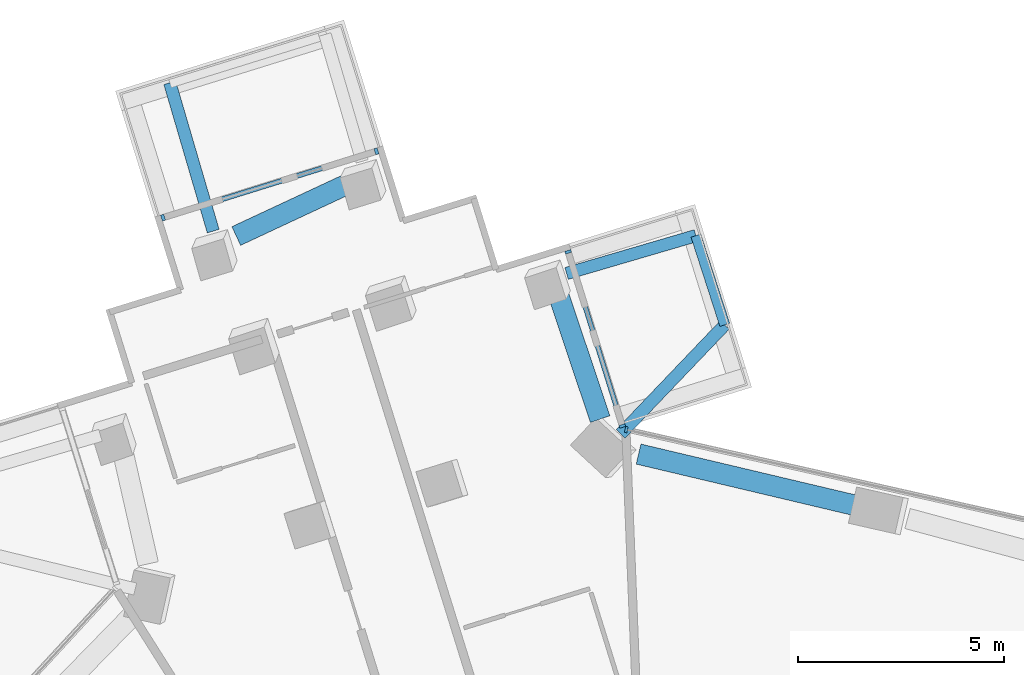
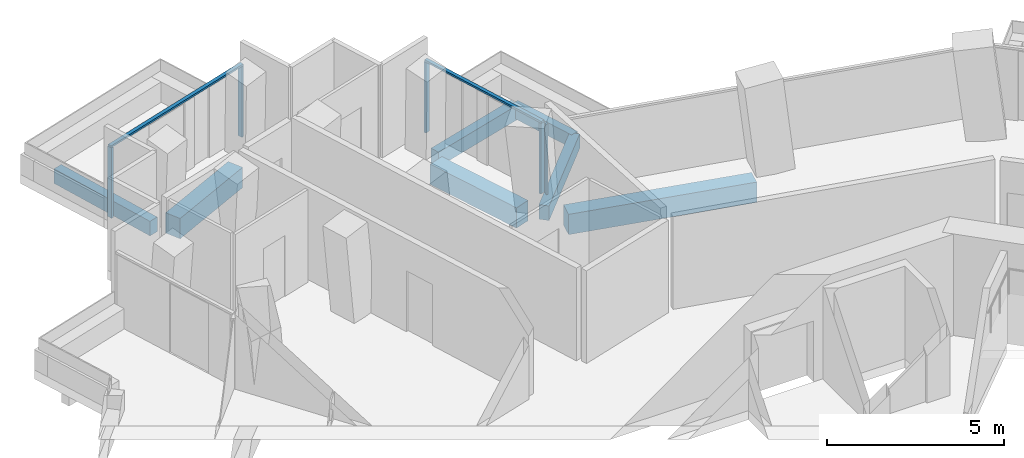
# One storey, part 8 of 25: 7 beams, 7 members, 3 elements without a shape of their own.
"""IFC4 building model written with IfcOpenShell, lengths in metres."""

from ifc_helpers import new_model, si_unit, direction, frame, origin, origin_2d, place, context, subcontext, project, spatial, rectangle, extrude, material, layer, layer_set, material_profile, profile_set, type_object, element, aggregate, save


model = new_model("IFC4")

# Units and contexts
model_context = context("Model", 3, precision=1e-05, world=origin(), true_north=direction((0.0, 1.0)))
body_context = subcontext(model_context, "Body", "Model", "MODEL_VIEW")
ifc_project = project(units=[si_unit("LENGTHUNIT", "METRE"), si_unit("AREAUNIT", "SQUARE_METRE"), si_unit("VOLUMEUNIT", "CUBIC_METRE"), si_unit("PLANEANGLEUNIT", "RADIAN"), si_unit("MASSUNIT", "GRAM", prefix="KILO")], contexts=[model_context])

# Site, building, storey
site_placement = place(None, origin())
site = spatial("IfcSite", under=ifc_project, at=site_placement, CompositionType="ELEMENT")
building_placement = place(site_placement, origin())
building = spatial("IfcBuilding", under=site, at=building_placement, Name="Verdalira Terraces Hotel", CompositionType="ELEMENT")
storey_placement = place(building_placement, frame((0.0, 0.0, 103.5)))
storey = spatial("IfcBuildingStorey", under=building, at=storey_placement, Name="L24", CompositionType="ELEMENT", Elevation=103.5)

# Beams
ifc_material_1 = material(Name="Concrete C40", Category="concrete")
ifc_material_profile_1 = material_profile(ifc_material_1, rectangle(XDim=0.300049, YDim=0.5, at=origin_2d()), Name="RC 300X500")
ifc_profile_set_1 = profile_set([ifc_material_profile_1], Name="Concrete C40")
beam_type_1 = type_object("IfcBeamType", Name="Balcony cantilever beam RC 300X500 C40", PredefinedType="BEAM", material=ifc_profile_set_1)
beam_1_placement = place(storey_placement, frame((-1.121826, 24.912598, -0.560059), z_axis=(0.690658382, 0.723181166, 0.0), x_axis=(-0.723181166, 0.690658382, 0.0)))
element("IfcBeam", 1, at=beam_1_placement, inside=storey, type_object=beam_type_1, Name="Balcony cantilever beam R00-1", PredefinedType="BEAM", context=body_context, shape_type="SweptSolid", body=[
    extrude(rectangle(XDim=0.300049, YDim=0.5, at=origin_2d()), origin(), (0.0, 0.0, 1.0), 3.655762),
])
beam_2_placement = place(storey_placement, frame((-2.432617, 28.802002, -0.560059), z_axis=(0.959713333, 0.280980994, 0.0), x_axis=(-0.280980994, 0.959713333, 0.0)))
element("IfcBeam", 2, at=beam_2_placement, inside=storey, type_object=beam_type_1, Name="Balcony cantilever beam R00-2", PredefinedType="BEAM", context=body_context, shape_type="SweptSolid", body=[
    extrude(rectangle(XDim=0.300049, YDim=0.5, at=origin_2d()), origin(), (0.0, 0.0, 1.0), 3.267822),
])
beam_3_placement = place(storey_placement, frame((-11.003418, 29.830078, -0.560059), z_axis=(-0.280977767, 0.959714278, 0.0), x_axis=(-0.959714278, -0.280977767, 0.0)))
element("IfcBeam", 3, at=beam_3_placement, inside=storey, type_object=beam_type_1, Name="Balcony cantilever beam R05-2", PredefinedType="BEAM", context=body_context, shape_type="SweptSolid", body=[
    extrude(rectangle(XDim=0.300049, YDim=0.5, at=origin_2d()), origin(), (0.0, 0.0, 1.0), 3.748535),
])
ifc_material_2 = material(Name="Concrete C40", Category="concrete")
ifc_material_profile_2 = material_profile(ifc_material_2, rectangle(XDim=0.25, YDim=0.449951, at=origin_2d()), Name="RC 250X450")
ifc_profile_set_2 = profile_set([ifc_material_profile_2], Name="Concrete C40")
beam_type_2 = type_object("IfcBeamType", Name="Balcony edge beam RC 250X450 C40", PredefinedType="BEAM", material=ifc_profile_set_2)
beam_4_placement = place(storey_placement, frame((1.403076, 27.556396, -0.534912), z_axis=(-0.307583027, 0.951521246, 0.0), x_axis=(-0.951521246, -0.307583027, 0.0)))
element("IfcBeam", 4, at=beam_4_placement, inside=storey, type_object=beam_type_2, Name="Balcony edge beam R00-1", PredefinedType="BEAM", context=body_context, shape_type="SweptSolid", body=[
    extrude(rectangle(XDim=0.25, YDim=0.449951, at=origin_2d()), origin(), (0.0, 0.0, 1.0), 2.27417),
])

# Curtain wall, member
ifc_material_3 = material(Name="Clear glass", Category="glass")
ifc_layer_1 = layer(ifc_material_3, 0.14990234375)
ifc_layer_set_1 = layer_set([ifc_layer_1], Name="CW1 curtain wall")
curtain_wall_type_1 = type_object("IfcCurtainWallType", Name="CW1 curtain wall", PredefinedType="NOTDEFINED", material=ifc_layer_set_1)
curtain_wall_1_placement = place(storey_placement, origin())
curtain_wall_1 = element("IfcCurtainWall", 5, at=curtain_wall_1_placement, inside=storey, type_object=curtain_wall_type_1, Name="CW1 curtain wall L24 edge 41", PredefinedType="NOTDEFINED")
ifc_material_4 = material(Name="Terracotta frame", Category="masonry")
ifc_material_profile_3 = material_profile(ifc_material_4, rectangle(XDim=0.060059, YDim=0.149902, at=origin_2d()), Name="MU 60x150")
ifc_profile_set_3 = profile_set([ifc_material_profile_3], Name="Terracotta frame")
member_type_1 = type_object("IfcMemberType", Name="CW1 mullion 60x150", PredefinedType="MULLION", material=ifc_profile_set_3)
member_1_placement = place(storey_placement, frame((-0.986328, 25.014404, 0.0), z_axis=(0.0, 0.0, 1.0), x_axis=(-0.975457744, 0.220186717, 0.0)))
member_1 = element("IfcMember", 6, at=member_1_placement, type_object=member_type_1, Name="CW1 mullion", PredefinedType="MULLION", context=body_context, shape_type="SweptSolid", body=[
    extrude(rectangle(XDim=0.060059, YDim=0.149902, at=origin_2d()), origin(), (0.0, 0.0, 1.0), 2.425049),
])
aggregate(curtain_wall_1, [member_1])

# Curtain wall, members
ifc_material_5 = material(Name="Clear glass", Category="glass")
ifc_layer_2 = layer(ifc_material_5, 0.14990234375)
ifc_layer_set_2 = layer_set([ifc_layer_2], Name="CW2 curtain wall")
curtain_wall_type_2 = type_object("IfcCurtainWallType", Name="CW2 curtain wall", PredefinedType="NOTDEFINED", material=ifc_layer_set_2)
curtain_wall_2_placement = place(storey_placement, origin())
curtain_wall_2 = element("IfcCurtainWall", 7, at=curtain_wall_2_placement, inside=storey, type_object=curtain_wall_type_2, Name="CW2 curtain wall L24 edge 0", PredefinedType="NOTDEFINED")
ifc_material_6 = material(Name="Terracotta frame", Category="masonry")
ifc_material_profile_4 = material_profile(ifc_material_6, rectangle(XDim=0.070068, YDim=0.149902, at=origin_2d()), Name="MU 70x150")
ifc_profile_set_4 = profile_set([ifc_material_profile_4], Name="Terracotta frame")
member_type_2 = type_object("IfcMemberType", Name="CW2 mullion 70x150", PredefinedType="MULLION", material=ifc_profile_set_4)
member_2_placement = place(storey_placement, frame((-1.081055, 25.105225, 0.0), z_axis=(0.0, 0.0, 1.0), x_axis=(-0.297041582, 0.954864545, 0.0)))
member_2 = element("IfcMember", 8, at=member_2_placement, type_object=member_type_2, Name="CW2 mullion", PredefinedType="MULLION", context=body_context, shape_type="SweptSolid", body=[
    extrude(rectangle(XDim=0.070068, YDim=0.149902, at=origin_2d()), origin(), (0.0, 0.0, 1.0), 2.425049),
])
member_3_placement = place(storey_placement, frame((-2.394531, 29.327393, 0.0), z_axis=(0.0, 0.0, 1.0), x_axis=(-0.297041582, 0.954864545, 0.0)))
member_3 = element("IfcMember", 9, at=member_3_placement, type_object=member_type_2, Name="CW2 mullion", PredefinedType="MULLION", context=body_context, shape_type="SweptSolid", body=[
    extrude(rectangle(XDim=0.070068, YDim=0.149902, at=origin_2d()), origin(), (0.0, 0.0, 1.0), 2.425049),
])
ifc_material_7 = material(Name="Terracotta frame", Category="masonry")
ifc_material_profile_5 = material_profile(ifc_material_7, rectangle(XDim=0.11499, YDim=0.064941, at=origin_2d()), Name="TR 65x115")
ifc_profile_set_5 = profile_set([ifc_material_profile_5], Name="Terracotta frame")
member_type_3 = type_object("IfcMemberType", Name="CW2 transom 65x115", PredefinedType="USERDEFINED", material=ifc_profile_set_5)
member_4_placement = place(storey_placement, frame((-1.070801, 25.072021, 2.45752), z_axis=(-0.297052236, 0.95486123, 0.0), x_axis=(-0.95486123, -0.297052236, 0.0)))
member_4 = element("IfcMember", 10, at=member_4_placement, type_object=member_type_3, Name="CW2 transom", ObjectType="TRANSOM", PredefinedType="USERDEFINED", context=body_context, shape_type="SweptSolid", body=[
    extrude(rectangle(XDim=0.11499, YDim=0.064941, at=origin_2d()), origin(), (0.0, 0.0, 1.0), 4.491455),
])
aggregate(curtain_wall_2, [member_2, member_3, member_4])

ifc_material_8 = material(Name="Clear glass", Category="glass")
ifc_layer_3 = layer(ifc_material_8, 0.14990234375)
ifc_layer_set_3 = layer_set([ifc_layer_3], Name="CW3 curtain wall")
curtain_wall_type_3 = type_object("IfcCurtainWallType", Name="CW3 curtain wall", PredefinedType="NOTDEFINED", material=ifc_layer_set_3)
curtain_wall_3_placement = place(storey_placement, origin())
curtain_wall_3 = element("IfcCurtainWall", 11, at=curtain_wall_3_placement, inside=storey, type_object=curtain_wall_type_3, Name="CW3 curtain wall L24 edge 5", PredefinedType="NOTDEFINED")
ifc_material_9 = material(Name="Terracotta frame", Category="masonry")
ifc_material_profile_6 = material_profile(ifc_material_9, rectangle(XDim=0.080078, YDim=0.149902, at=origin_2d()), Name="MU 80x150")
ifc_profile_set_6 = profile_set([ifc_material_profile_6], Name="Terracotta frame")
member_type_4 = type_object("IfcMemberType", Name="CW3 mullion 80x150", PredefinedType="MULLION", material=ifc_profile_set_6)
member_5_placement = place(storey_placement, frame((-7.043945, 31.766357, 0.0), z_axis=(0.0, 0.0, 1.0), x_axis=(-0.954864545, -0.297041582, 0.0)))
member_5 = element("IfcMember", 12, at=member_5_placement, type_object=member_type_4, Name="CW3 mullion", PredefinedType="MULLION", context=body_context, shape_type="SweptSolid", body=[
    extrude(rectangle(XDim=0.080078, YDim=0.149902, at=origin_2d()), origin(), (0.0, 0.0, 1.0), 2.425049),
])
member_6_placement = place(storey_placement, frame((-12.219238, 30.156494, 0.0), z_axis=(0.0, 0.0, 1.0), x_axis=(-0.954864545, -0.297041582, 0.0)))
member_6 = element("IfcMember", 13, at=member_6_placement, type_object=member_type_4, Name="CW3 mullion", PredefinedType="MULLION", context=body_context, shape_type="SweptSolid", body=[
    extrude(rectangle(XDim=0.080078, YDim=0.149902, at=origin_2d()), origin(), (0.0, 0.0, 1.0), 2.425049),
])
ifc_material_10 = material(Name="Terracotta frame", Category="masonry")
ifc_material_profile_7 = material_profile(ifc_material_10, rectangle(XDim=0.120117, YDim=0.064941, at=origin_2d()), Name="TR 65x120")
ifc_profile_set_7 = profile_set([ifc_material_profile_7], Name="Terracotta frame")
member_type_5 = type_object("IfcMemberType", Name="CW3 transom 65x120", PredefinedType="USERDEFINED", material=ifc_profile_set_7)
member_7_placement = place(storey_placement, frame((-7.005615, 31.77832, 2.45752), z_axis=(-0.95486461, -0.297041371, 0.0), x_axis=(0.297041371, -0.95486461, 0.0)))
member_7 = element("IfcMember", 14, at=member_7_placement, type_object=member_type_5, Name="CW3 transom", ObjectType="TRANSOM", PredefinedType="USERDEFINED", context=body_context, shape_type="SweptSolid", body=[
    extrude(rectangle(XDim=0.120117, YDim=0.064941, at=origin_2d()), origin(), (0.0, 0.0, 1.0), 5.500244),
])
aggregate(curtain_wall_3, [member_5, member_6, member_7])

# Beams
ifc_material_11 = material(Name="Concrete C70", Category="concrete")
ifc_material_profile_8 = material_profile(ifc_material_11, rectangle(XDim=0.5, YDim=0.699951, at=origin_2d()), Name="RC 500X700")
ifc_profile_set_8 = profile_set([ifc_material_profile_8], Name="Concrete C70")
beam_type_3 = type_object("IfcBeamType", Name="Spandrel beam RC 500X700 C70", PredefinedType="SPANDREL", material=ifc_profile_set_8)
beam_5_placement = place(storey_placement, frame((-1.619629, 25.270508, -0.659912), z_axis=(-0.317578524, 0.948231976, 0.0), x_axis=(-0.948231976, -0.317578524, 0.0)))
element("IfcBeam", 15, at=beam_5_placement, inside=storey, type_object=beam_type_3, Name="Spandrel beam B01", PredefinedType="SPANDREL", context=body_context, shape_type="SweptSolid", body=[
    extrude(rectangle(XDim=0.5, YDim=0.699951, at=origin_2d()), origin(), (0.0, 0.0, 1.0), 3.252686),
])
beam_6_placement = place(storey_placement, frame((-7.656982, 31.012695, -0.659912), z_axis=(-0.906120275, -0.423020151, 0.0), x_axis=(0.423020151, -0.906120275, 0.0)))
element("IfcBeam", 16, at=beam_6_placement, inside=storey, type_object=beam_type_3, Name="Spandrel beam B02", PredefinedType="SPANDREL", context=body_context, shape_type="SweptSolid", body=[
    extrude(rectangle(XDim=0.5, YDim=0.699951, at=origin_2d()), origin(), (0.0, 0.0, 1.0), 3.076172),
])
beam_7_placement = place(storey_placement, frame((4.708496, 23.14502, -0.659912), z_axis=(-0.973094577, 0.230406041, 0.0), x_axis=(-0.230406041, -0.973094577, 0.0)))
element("IfcBeam", 17, at=beam_7_placement, inside=storey, type_object=beam_type_3, Name="Spandrel beam B29", PredefinedType="SPANDREL", context=body_context, shape_type="SweptSolid", body=[
    extrude(rectangle(XDim=0.5, YDim=0.699951, at=origin_2d()), origin(), (0.0, 0.0, 1.0), 5.544922),
])

save(model, "model.ifc")
